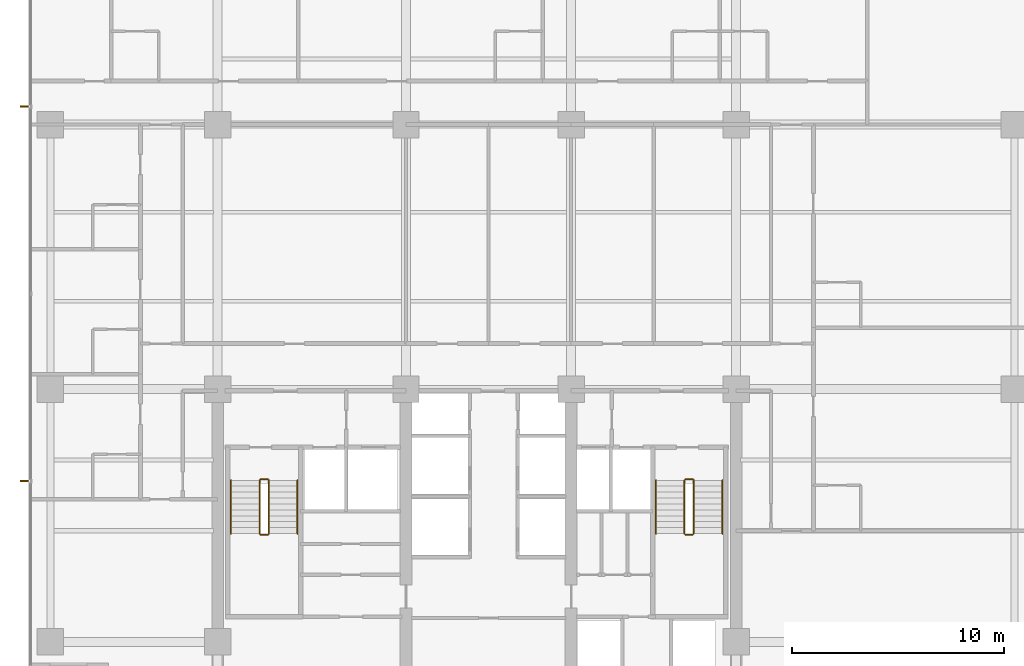
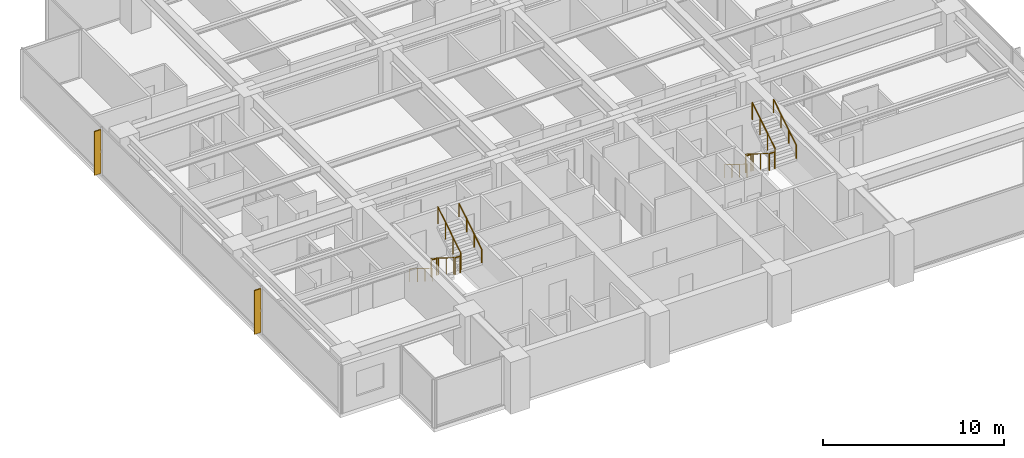
# One storey, part 16 of 17: 12 railings, 2 shading devices.
"""IFC4 building model written with IfcOpenShell, lengths in metres."""

from ifc_helpers import new_model, si_unit, direction, frame, origin, origin_2d, place, context, subcontext, project, spatial, polyline, circle, outline, extrude, material, layer, layer_set, type_object, element, save


model = new_model("IFC4")

# Units and contexts
model_context = context("Model", 3, precision=1e-05, world=origin(), true_north=direction((0.0, 1.0)))
body_context = subcontext(model_context, "Body", "Model", "MODEL_VIEW")
ifc_project = project(units=[si_unit("LENGTHUNIT", "METRE"), si_unit("AREAUNIT", "SQUARE_METRE"), si_unit("VOLUMEUNIT", "CUBIC_METRE"), si_unit("PLANEANGLEUNIT", "RADIAN"), si_unit("MASSUNIT", "GRAM", prefix="KILO")], contexts=[model_context])

# Site, building, storey
site_placement = place(None, origin())
site = spatial("IfcSite", under=ifc_project, at=site_placement, CompositionType="ELEMENT")
building_placement = place(site_placement, origin())
building = spatial("IfcBuilding", under=site, at=building_placement, Name="Qalmaran Belvedere Hotel", CompositionType="ELEMENT")
storey_placement = place(building_placement, frame((0.0, 0.0, 91.699951171875)))
storey = spatial("IfcBuildingStorey", under=building, at=storey_placement, Name="L22", CompositionType="ELEMENT", Elevation=91.699951171875)

# Shading devices
ifc_material_1 = material(Name="Anodised Bronze Aluminium", Category="aluminium")
ifc_layer = layer(ifc_material_1, 0.06494140625, Name="Anodised Bronze Aluminium")
ifc_layer_set = layer_set([ifc_layer], Name="Anodised Bronze Aluminium")
shading_device_type = type_object("IfcShadingDeviceType", Name="FIN-BRNZ-420", PredefinedType="USERDEFINED", material=ifc_layer_set)
shading_device_1_placement = place(storey_placement, frame((0.0, 0.0, 0.16015625)))
element("IfcShadingDevice", 1, at=shading_device_1_placement, inside=storey, type_object=shading_device_type, Name="L22 Bronze Fin 1", ObjectType="FIN", PredefinedType="USERDEFINED", context=body_context, shape_type="SweptSolid", body=[
    extrude(outline(polyline([(11.3798828125, 33.882568359375), (10.9599609375, 33.882568359375), (10.9599609375, 33.8173828125), (11.3798828125, 33.8173828125), (11.3798828125, 33.882568359375)])), origin(), (0.0, 0.0, 1.0), 2.9599609375),
])
shading_device_2_placement = place(storey_placement, frame((0.0, 0.0, 0.16015625)))
element("IfcShadingDevice", 2, at=shading_device_2_placement, inside=storey, type_object=shading_device_type, Name="L22 Bronze Fin 3", ObjectType="FIN", PredefinedType="USERDEFINED", context=body_context, shape_type="SweptSolid", body=[
    extrude(outline(polyline([(11.3798828125, 16.1826171875), (10.9599609375, 16.1826171875), (10.9599609375, 16.117431640625), (11.3798828125, 16.117431640625), (11.3798828125, 16.1826171875)])), origin(), (0.0, 0.0, 1.0), 2.9599609375),
])

# Railings
ifc_material_2 = material(Name="Stainless Steel 1.4401", Category="steel")
railing_type_1 = type_object("IfcRailingType", Name="RLG-STAIR-GUARD-1150", PredefinedType="GUARDRAIL", material=ifc_material_2)
railing_1_placement = place(storey_placement, frame((22.280029296875, 16.18994140625, 0.175048828125)))
element("IfcRailing", 3, at=railing_1_placement, inside=storey, type_object=railing_type_1, Name="L22 ST-1 stair guard 1", PredefinedType="GUARDRAIL", context=body_context, shape_type="SweptSolid", body=[
    extrude(circle(Radius=0.02392578125, at=origin_2d()), frame((0.0, 0.0, 1.1259765625), z_axis=(0.0, -0.848007534815, 0.529984170421), x_axis=(1.0, 0.0, 0.0)), (0.0, 0.0, 1.0), 2.9716796875),
    extrude(circle(Radius=0.02099609375, at=origin_2d()), origin(), (0.0, 0.0, 1.0), 1.101806640625),
    extrude(circle(Radius=0.02099609375, at=origin_2d()), frame((0.0, -0.840087890625, 0.52490234375)), (0.0, 0.0, 1.0), 1.101806640625),
    extrude(circle(Radius=0.02099609375, at=origin_2d()), frame((0.0, -1.679931640625, 1.050048828125)), (0.0, 0.0, 1.0), 1.101806640625),
    extrude(circle(Radius=0.02099609375, at=origin_2d()), frame((0.0, -2.52001953125, 1.574951171875)), (0.0, 0.0, 1.0), 1.101806640625),
])
railing_2_placement = place(storey_placement, frame((22.330078125, 13.6201171875, 1.75)))
element("IfcRailing", 4, at=railing_2_placement, inside=storey, type_object=railing_type_1, Name="L22 ST-1 stair guard 2", PredefinedType="GUARDRAIL", context=body_context, shape_type="SweptSolid", body=[
    extrude(circle(Radius=0.02392578125, at=origin_2d()), frame((0.0, 0.0, 1.1259765625), z_axis=(1.0, 0.0, 0.0), x_axis=(0.0, 1.0, 0.0)), (0.0, 0.0, 1.0), 0.33984375),
    extrude(circle(Radius=0.02099609375, at=origin_2d()), origin(), (0.0, 0.0, 1.0), 1.101806640625),
    extrude(circle(Radius=0.02099609375, at=origin_2d()), frame((0.33984375, 0.0, 0.0)), (0.0, 0.0, 1.0), 1.101806640625),
])
railing_3_placement = place(storey_placement, frame((22.719970703125, 13.669921875, 1.925048828125)))
element("IfcRailing", 5, at=railing_3_placement, inside=storey, type_object=railing_type_1, Name="L22 ST-1 stair guard 3", PredefinedType="GUARDRAIL", context=body_context, shape_type="SweptSolid", body=[
    extrude(circle(Radius=0.02392578125, at=origin_2d()), frame((0.0, 0.0, 1.1259765625), z_axis=(0.0, 0.848007534815, 0.529984170421), x_axis=(-1.0, 0.0, 0.0)), (0.0, 0.0, 1.0), 2.9716796875),
    extrude(circle(Radius=0.02099609375, at=origin_2d()), origin(), (0.0, 0.0, 1.0), 1.101806640625),
    extrude(circle(Radius=0.02099609375, at=origin_2d()), frame((0.0, 0.840087890625, 0.52490234375)), (0.0, 0.0, 1.0), 1.101806640625),
    extrude(circle(Radius=0.02099609375, at=origin_2d()), frame((0.0, 1.679931640625, 1.050048828125)), (0.0, 0.0, 1.0), 1.101806640625),
    extrude(circle(Radius=0.02099609375, at=origin_2d()), frame((0.0, 2.52001953125, 1.574951171875)), (0.0, 0.0, 1.0), 1.101806640625),
])
railing_4_placement = place(storey_placement, frame((22.330078125, 16.239990234375, 0.0)))
element("IfcRailing", 6, at=railing_4_placement, inside=storey, type_object=railing_type_1, Name="L22 ST-1 stair guard 4", PredefinedType="GUARDRAIL", context=body_context, shape_type="SweptSolid", body=[
    extrude(circle(Radius=0.02392578125, at=origin_2d()), frame((0.0, 0.0, 1.1259765625), z_axis=(1.0, 0.0, 0.0), x_axis=(0.0, 1.0, 0.0)), (0.0, 0.0, 1.0), 0.33984375),
    extrude(circle(Radius=0.02099609375, at=origin_2d()), origin(), (0.0, 0.0, 1.0), 1.101806640625),
    extrude(circle(Radius=0.02099609375, at=origin_2d()), frame((0.33984375, 0.0, 0.0)), (0.0, 0.0, 1.0), 1.101806640625),
])
railing_5_placement = place(storey_placement, frame((42.360107421875, 16.18994140625, 0.175048828125)))
element("IfcRailing", 7, at=railing_5_placement, inside=storey, type_object=railing_type_1, Name="L22 ST-2 stair guard 1", PredefinedType="GUARDRAIL", context=body_context, shape_type="SweptSolid", body=[
    extrude(circle(Radius=0.02392578125, at=origin_2d()), frame((0.0, 0.0, 1.1259765625), z_axis=(0.0, -0.848007534815, 0.529984170421), x_axis=(1.0, 0.0, 0.0)), (0.0, 0.0, 1.0), 2.9716796875),
    extrude(circle(Radius=0.02099609375, at=origin_2d()), origin(), (0.0, 0.0, 1.0), 1.101806640625),
    extrude(circle(Radius=0.02099609375, at=origin_2d()), frame((0.0, -0.840087890625, 0.52490234375)), (0.0, 0.0, 1.0), 1.101806640625),
    extrude(circle(Radius=0.02099609375, at=origin_2d()), frame((0.0, -1.679931640625, 1.050048828125)), (0.0, 0.0, 1.0), 1.101806640625),
    extrude(circle(Radius=0.02099609375, at=origin_2d()), frame((0.0, -2.52001953125, 1.574951171875)), (0.0, 0.0, 1.0), 1.101806640625),
])
railing_6_placement = place(storey_placement, frame((42.409912109375, 13.6201171875, 1.75)))
element("IfcRailing", 8, at=railing_6_placement, inside=storey, type_object=railing_type_1, Name="L22 ST-2 stair guard 2", PredefinedType="GUARDRAIL", context=body_context, shape_type="SweptSolid", body=[
    extrude(circle(Radius=0.02392578125, at=origin_2d()), frame((0.0, 0.0, 1.1259765625), z_axis=(1.0, 0.0, 0.0), x_axis=(0.0, 1.0, 0.0)), (0.0, 0.0, 1.0), 0.340087890625),
    extrude(circle(Radius=0.02099609375, at=origin_2d()), origin(), (0.0, 0.0, 1.0), 1.101806640625),
    extrude(circle(Radius=0.02099609375, at=origin_2d()), frame((0.340087890625, 0.0, 0.0)), (0.0, 0.0, 1.0), 1.101806640625),
])
railing_7_placement = place(storey_placement, frame((42.800048828125, 13.669921875, 1.925048828125)))
element("IfcRailing", 9, at=railing_7_placement, inside=storey, type_object=railing_type_1, Name="L22 ST-2 stair guard 3", PredefinedType="GUARDRAIL", context=body_context, shape_type="SweptSolid", body=[
    extrude(circle(Radius=0.02392578125, at=origin_2d()), frame((0.0, 0.0, 1.1259765625), z_axis=(0.0, 0.848007534815, 0.529984170421), x_axis=(-1.0, 0.0, 0.0)), (0.0, 0.0, 1.0), 2.9716796875),
    extrude(circle(Radius=0.02099609375, at=origin_2d()), origin(), (0.0, 0.0, 1.0), 1.101806640625),
    extrude(circle(Radius=0.02099609375, at=origin_2d()), frame((0.0, 0.840087890625, 0.52490234375)), (0.0, 0.0, 1.0), 1.101806640625),
    extrude(circle(Radius=0.02099609375, at=origin_2d()), frame((0.0, 1.679931640625, 1.050048828125)), (0.0, 0.0, 1.0), 1.101806640625),
    extrude(circle(Radius=0.02099609375, at=origin_2d()), frame((0.0, 2.52001953125, 1.574951171875)), (0.0, 0.0, 1.0), 1.101806640625),
])
railing_8_placement = place(storey_placement, frame((42.409912109375, 16.239990234375, 0.0)))
element("IfcRailing", 10, at=railing_8_placement, inside=storey, type_object=railing_type_1, Name="L22 ST-2 stair guard 4", PredefinedType="GUARDRAIL", context=body_context, shape_type="SweptSolid", body=[
    extrude(circle(Radius=0.02392578125, at=origin_2d()), frame((0.0, 0.0, 1.1259765625), z_axis=(1.0, 0.0, 0.0), x_axis=(0.0, 1.0, 0.0)), (0.0, 0.0, 1.0), 0.340087890625),
    extrude(circle(Radius=0.02099609375, at=origin_2d()), origin(), (0.0, 0.0, 1.0), 1.101806640625),
    extrude(circle(Radius=0.02099609375, at=origin_2d()), frame((0.340087890625, 0.0, 0.0)), (0.0, 0.0, 1.0), 1.101806640625),
])
railing_type_2 = type_object("IfcRailingType", Name="RLG-STAIR-HAND-910", PredefinedType="HANDRAIL", material=ifc_material_2)
railing_9_placement = place(storey_placement, frame((20.929931640625, 16.18994140625, 0.175048828125)))
element("IfcRailing", 11, at=railing_9_placement, inside=storey, type_object=railing_type_2, Name="L22 ST-1 stair handrail 1", PredefinedType="HANDRAIL", context=body_context, shape_type="SweptSolid", body=[
    extrude(circle(Radius=0.02392578125, at=origin_2d()), frame((0.0, 0.0, 0.8857421875), z_axis=(0.0, -0.848007534815, 0.529984170421), x_axis=(1.0, 0.0, 0.0)), (0.0, 0.0, 1.0), 2.9716796875),
    extrude(circle(Radius=0.02099609375, at=origin_2d()), origin(), (0.0, 0.0, 1.0), 0.86181640625),
    extrude(circle(Radius=0.02099609375, at=origin_2d()), frame((0.0, -0.840087890625, 0.52490234375)), (0.0, 0.0, 1.0), 0.86181640625),
    extrude(circle(Radius=0.02099609375, at=origin_2d()), frame((0.0, -1.679931640625, 1.050048828125)), (0.0, 0.0, 1.0), 0.86181640625),
    extrude(circle(Radius=0.02099609375, at=origin_2d()), frame((0.0, -2.52001953125, 1.574951171875)), (0.0, 0.0, 1.0), 0.86181640625),
])
railing_10_placement = place(storey_placement, frame((24.070068359375, 13.669921875, 1.925048828125)))
element("IfcRailing", 12, at=railing_10_placement, inside=storey, type_object=railing_type_2, Name="L22 ST-1 stair handrail 2", PredefinedType="HANDRAIL", context=body_context, shape_type="SweptSolid", body=[
    extrude(circle(Radius=0.02392578125, at=origin_2d()), frame((0.0, 0.0, 0.8857421875), z_axis=(0.0, 0.848007534815, 0.529984170421), x_axis=(-1.0, 0.0, 0.0)), (0.0, 0.0, 1.0), 2.9716796875),
    extrude(circle(Radius=0.02099609375, at=origin_2d()), origin(), (0.0, 0.0, 1.0), 0.86181640625),
    extrude(circle(Radius=0.02099609375, at=origin_2d()), frame((0.0, 0.840087890625, 0.52490234375)), (0.0, 0.0, 1.0), 0.86181640625),
    extrude(circle(Radius=0.02099609375, at=origin_2d()), frame((0.0, 1.679931640625, 1.050048828125)), (0.0, 0.0, 1.0), 0.86181640625),
    extrude(circle(Radius=0.02099609375, at=origin_2d()), frame((0.0, 2.52001953125, 1.574951171875)), (0.0, 0.0, 1.0), 0.86181640625),
])
railing_11_placement = place(storey_placement, frame((41.010009765625, 16.18994140625, 0.175048828125)))
element("IfcRailing", 13, at=railing_11_placement, inside=storey, type_object=railing_type_2, Name="L22 ST-2 stair handrail 1", PredefinedType="HANDRAIL", context=body_context, shape_type="SweptSolid", body=[
    extrude(circle(Radius=0.02392578125, at=origin_2d()), frame((0.0, 0.0, 0.8857421875), z_axis=(0.0, -0.848007534815, 0.529984170421), x_axis=(1.0, 0.0, 0.0)), (0.0, 0.0, 1.0), 2.9716796875),
    extrude(circle(Radius=0.02099609375, at=origin_2d()), origin(), (0.0, 0.0, 1.0), 0.86181640625),
    extrude(circle(Radius=0.02099609375, at=origin_2d()), frame((0.0, -0.840087890625, 0.52490234375)), (0.0, 0.0, 1.0), 0.86181640625),
    extrude(circle(Radius=0.02099609375, at=origin_2d()), frame((0.0, -1.679931640625, 1.050048828125)), (0.0, 0.0, 1.0), 0.86181640625),
    extrude(circle(Radius=0.02099609375, at=origin_2d()), frame((0.0, -2.52001953125, 1.574951171875)), (0.0, 0.0, 1.0), 0.86181640625),
])
railing_12_placement = place(storey_placement, frame((44.14990234375, 13.669921875, 1.925048828125)))
element("IfcRailing", 14, at=railing_12_placement, inside=storey, type_object=railing_type_2, Name="L22 ST-2 stair handrail 2", PredefinedType="HANDRAIL", context=body_context, shape_type="SweptSolid", body=[
    extrude(circle(Radius=0.02392578125, at=origin_2d()), frame((0.0, 0.0, 0.8857421875), z_axis=(0.0, 0.848007534815, 0.529984170421), x_axis=(-1.0, 0.0, 0.0)), (0.0, 0.0, 1.0), 2.9716796875),
    extrude(circle(Radius=0.02099609375, at=origin_2d()), origin(), (0.0, 0.0, 1.0), 0.86181640625),
    extrude(circle(Radius=0.02099609375, at=origin_2d()), frame((0.0, 0.840087890625, 0.52490234375)), (0.0, 0.0, 1.0), 0.86181640625),
    extrude(circle(Radius=0.02099609375, at=origin_2d()), frame((0.0, 1.679931640625, 1.050048828125)), (0.0, 0.0, 1.0), 0.86181640625),
    extrude(circle(Radius=0.02099609375, at=origin_2d()), frame((0.0, 2.52001953125, 1.574951171875)), (0.0, 0.0, 1.0), 0.86181640625),
])

save(model, "model.ifc")
